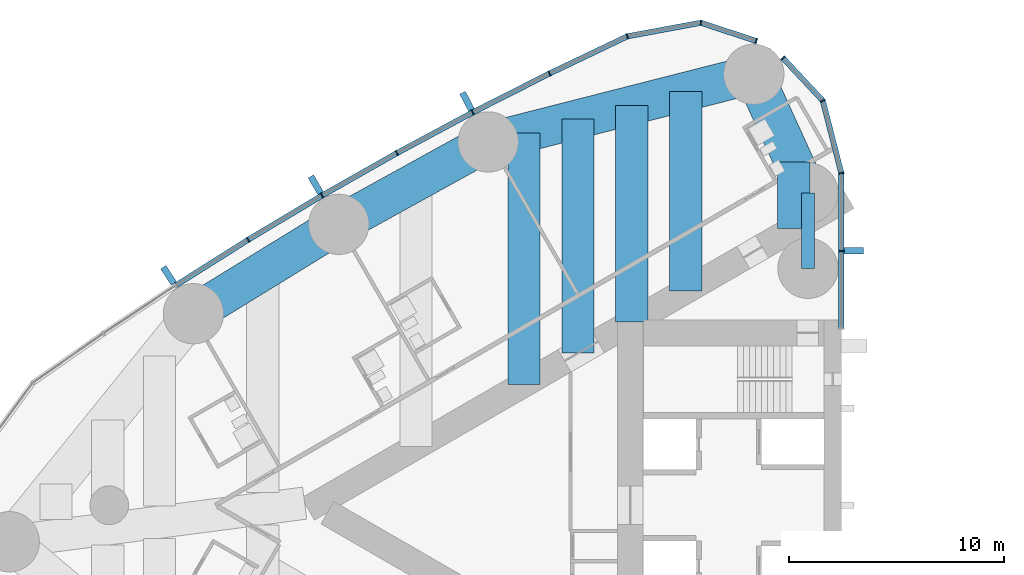
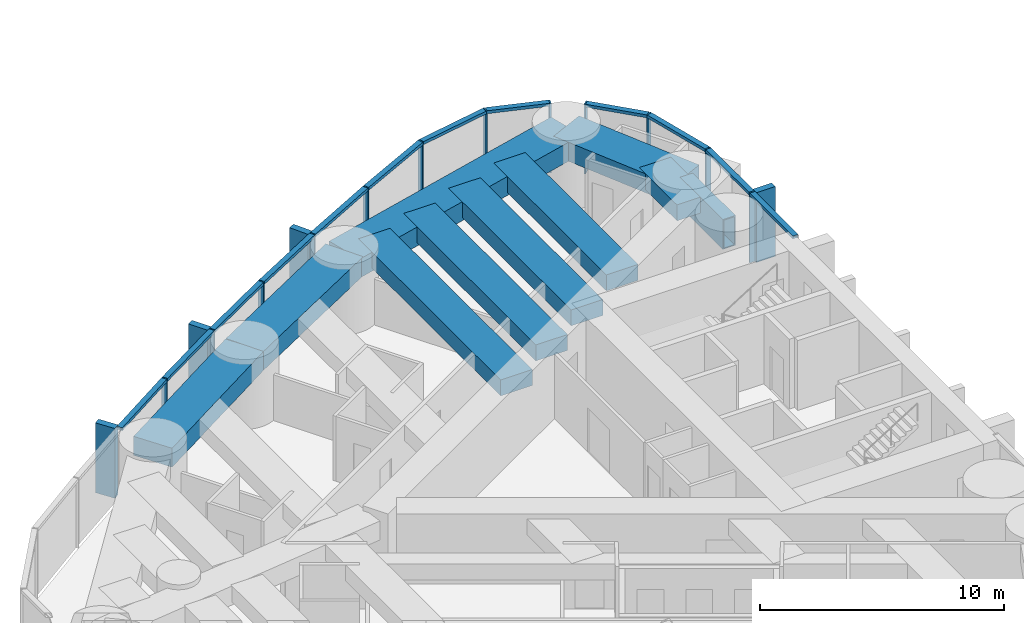
# One storey, part 5 of 19: 28 members, 10 beams, 2 elements without a shape of their own.
"""IFC4 building model written with IfcOpenShell, lengths in metres."""

from ifc_helpers import new_model, si_unit, direction, frame, origin, origin_2d, place, context, subcontext, project, spatial, rectangle, hollow_rectangle, extrude, material, material_profile, profile_set, type_object, element, aggregate, save


model = new_model("IFC4")

# Units and contexts
model_context = context("Model", 3, precision=1e-05, world=origin(), true_north=direction((0.0, 1.0)))
body_context = subcontext(model_context, "Body", "Model", "MODEL_VIEW")
ifc_project = project(units=[si_unit("LENGTHUNIT", "METRE"), si_unit("AREAUNIT", "SQUARE_METRE"), si_unit("VOLUMEUNIT", "CUBIC_METRE"), si_unit("PLANEANGLEUNIT", "RADIAN"), si_unit("MASSUNIT", "GRAM", prefix="KILO")], contexts=[model_context])

# Site, building, storey
site_placement = place(None, origin())
site = spatial("IfcSite", under=ifc_project, at=site_placement, CompositionType="ELEMENT")
building_placement = place(site_placement, origin())
building = spatial("IfcBuilding", under=site, at=building_placement, Name="Lancet Gate Hotel", CompositionType="ELEMENT")
storey_placement = place(building_placement, frame((0.0, 0.0, 173.800048828125)))
storey = spatial("IfcBuildingStorey", under=building, at=storey_placement, Name="L46", CompositionType="ELEMENT", Elevation=173.800048828125)

# Curtain wall, members
ifc_material_1 = material(Name="Aluminium curtain wall", Category="aluminium")
curtain_wall_type = type_object("IfcCurtainWallType", Name="Tower unitised curtain wall", PredefinedType="USERDEFINED", material=ifc_material_1)
curtain_wall_1_placement = place(storey_placement, origin())
curtain_wall_1 = element("IfcCurtainWall", 1, at=curtain_wall_1_placement, inside=storey, type_object=curtain_wall_type, Name="T1 L46 curtain wall 1", ObjectType="UNITISED CURTAIN WALL", PredefinedType="USERDEFINED")
ifc_material_2 = material(Name="Aluminium mullion", Category="aluminium")
ifc_material_profile_1 = material_profile(ifc_material_2, rectangle(XDim=0.06494140625, YDim=0.25, at=origin_2d()), Name="MULLION 65x250")
ifc_profile_set_1 = profile_set([ifc_material_profile_1], Name="Aluminium mullion")
member_type_1 = type_object("IfcMemberType", Name="Aluminium mullion 65x250", PredefinedType="MULLION", material=ifc_profile_set_1)
member_1_placement = place(storey_placement, frame((-27.5, 11.811767578125, 0.0), z_axis=(0.0, 0.0, 1.0), x_axis=(0.0, 1.0, 0.0)))
member_1 = element("IfcMember", 2, at=member_1_placement, type_object=member_type_1, Name="T1 L46 curtain wall 1 mullion 2", PredefinedType="MULLION", context=body_context, shape_type="SweptSolid", body=[
    extrude(rectangle(XDim=0.06494140625, YDim=0.25, at=origin_2d()), origin(), (0.0, 0.0, 1.0), 3.5),
])
member_2_placement = place(storey_placement, frame((-27.5, 15.42333984375, 0.0), z_axis=(0.0, 0.0, 1.0), x_axis=(-0.122467472845, 0.992472527627, 0.0)))
member_2 = element("IfcMember", 3, at=member_2_placement, type_object=member_type_1, Name="T1 L46 curtain wall 1 mullion 3", PredefinedType="MULLION", context=body_context, shape_type="SweptSolid", body=[
    extrude(rectangle(XDim=0.06494140625, YDim=0.25, at=origin_2d()), origin(), (0.0, 0.0, 1.0), 3.5),
])
member_3_placement = place(storey_placement, frame((-28.360595703125, 18.7861328125, 0.0), z_axis=(0.0, 0.0, 1.0), x_axis=(-0.452507601198, 0.891760545695, 0.0)))
member_3 = element("IfcMember", 4, at=member_3_placement, type_object=member_type_1, Name="T1 L46 curtain wall 1 mullion 4", PredefinedType="MULLION", context=body_context, shape_type="SweptSolid", body=[
    extrude(rectangle(XDim=0.06494140625, YDim=0.25, at=origin_2d()), origin(), (0.0, 0.0, 1.0), 3.5),
])
member_4_placement = place(storey_placement, frame((-30.210693359375, 20.765625, 0.0), z_axis=(0.0, 0.0, 1.0), x_axis=(-0.682844962172, 0.730563315282, 0.0)))
member_4 = element("IfcMember", 5, at=member_4_placement, type_object=member_type_1, Name="T1 L46 curtain wall 1 mullion 5", PredefinedType="MULLION", context=body_context, shape_type="SweptSolid", body=[
    extrude(rectangle(XDim=0.06494140625, YDim=0.25, at=origin_2d()), origin(), (0.0, 0.0, 1.0), 3.5),
])

curtain_wall_2_placement = place(storey_placement, origin())
curtain_wall_2 = element("IfcCurtainWall", 6, at=curtain_wall_2_placement, inside=storey, type_object=curtain_wall_type, Name="T1 L46 curtain wall 2", ObjectType="UNITISED CURTAIN WALL", PredefinedType="USERDEFINED")
member_5_placement = place(storey_placement, frame((-31.45263671875, 21.5595703125, 0.0), z_axis=(0.0, 0.0, 1.0), x_axis=(-0.949848055084, 0.312711803827, 0.0)))
member_5 = element("IfcMember", 7, at=member_5_placement, type_object=member_type_1, Name="T1 L46 curtain wall 2 mullion 1", PredefinedType="MULLION", context=body_context, shape_type="SweptSolid", body=[
    extrude(rectangle(XDim=0.06494140625, YDim=0.25, at=origin_2d()), origin(), (0.0, 0.0, 1.0), 3.5),
])
member_6_placement = place(storey_placement, frame((-34.02783203125, 22.407470703125, 0.0), z_axis=(0.0, 0.0, 1.0), x_axis=(-0.999350473622, 0.036036521361, 0.0)))
member_6 = element("IfcMember", 8, at=member_6_placement, type_object=member_type_1, Name="T1 L46 curtain wall 2 mullion 2", PredefinedType="MULLION", context=body_context, shape_type="SweptSolid", body=[
    extrude(rectangle(XDim=0.06494140625, YDim=0.25, at=origin_2d()), origin(), (0.0, 0.0, 1.0), 3.5),
])
member_7_placement = place(storey_placement, frame((-37.44091796875, 21.775634765625, 0.0), z_axis=(0.0, 0.0, 1.0), x_axis=(-0.948119321052, -0.317914694609, 0.0)))
member_7 = element("IfcMember", 9, at=member_7_placement, type_object=member_type_1, Name="T1 L46 curtain wall 2 mullion 3", PredefinedType="MULLION", context=body_context, shape_type="SweptSolid", body=[
    extrude(rectangle(XDim=0.06494140625, YDim=0.25, at=origin_2d()), origin(), (0.0, 0.0, 1.0), 3.5),
])
member_8_placement = place(storey_placement, frame((-41.0498046875, 20.052978515625, 0.0), z_axis=(0.0, 0.0, 1.0), x_axis=(-0.897324392142, -0.441371652088, 0.0)))
member_8 = element("IfcMember", 10, at=member_8_placement, type_object=member_type_1, Name="T1 L46 curtain wall 2 mullion 4", PredefinedType="MULLION", context=body_context, shape_type="SweptSolid", body=[
    extrude(rectangle(XDim=0.06494140625, YDim=0.25, at=origin_2d()), origin(), (0.0, 0.0, 1.0), 3.5),
])
member_9_placement = place(storey_placement, frame((-44.6171875, 18.245849609375, 0.0), z_axis=(0.0, 0.0, 1.0), x_axis=(-0.886694440064, -0.462355891019, 0.0)))
member_9 = element("IfcMember", 11, at=member_9_placement, type_object=member_type_1, Name="T1 L46 curtain wall 2 mullion 5", PredefinedType="MULLION", context=body_context, shape_type="SweptSolid", body=[
    extrude(rectangle(XDim=0.06494140625, YDim=0.25, at=origin_2d()), origin(), (0.0, 0.0, 1.0), 3.5),
])
member_10_placement = place(storey_placement, frame((-48.140869140625, 16.355224609375, 0.0), z_axis=(0.0, 0.0, 1.0), x_axis=(-0.87557384965, -0.483084292654, 0.0)))
member_10 = element("IfcMember", 12, at=member_10_placement, type_object=member_type_1, Name="T1 L46 curtain wall 2 mullion 6", PredefinedType="MULLION", context=body_context, shape_type="SweptSolid", body=[
    extrude(rectangle(XDim=0.06494140625, YDim=0.25, at=origin_2d()), origin(), (0.0, 0.0, 1.0), 3.5),
])
member_11_placement = place(storey_placement, frame((-51.619384765625, 14.38232421875, 0.0), z_axis=(0.0, 0.0, 1.0), x_axis=(-0.863968774311, -0.503545387245, 0.0)))
member_11 = element("IfcMember", 13, at=member_11_placement, type_object=member_type_1, Name="T1 L46 curtain wall 2 mullion 7", PredefinedType="MULLION", context=body_context, shape_type="SweptSolid", body=[
    extrude(rectangle(XDim=0.06494140625, YDim=0.25, at=origin_2d()), origin(), (0.0, 0.0, 1.0), 3.5),
])
member_12_placement = place(storey_placement, frame((-55.05029296875, 12.328369140625, 0.0), z_axis=(0.0, 0.0, 1.0), x_axis=(-0.851885635531, -0.52372785297, 0.0)))
member_12 = element("IfcMember", 14, at=member_12_placement, type_object=member_type_1, Name="T1 L46 curtain wall 2 mullion 8", PredefinedType="MULLION", context=body_context, shape_type="SweptSolid", body=[
    extrude(rectangle(XDim=0.06494140625, YDim=0.25, at=origin_2d()), origin(), (0.0, 0.0, 1.0), 3.5),
])

# Member
ifc_material_3 = material(Name="Aluminium transom", Category="aluminium")
ifc_material_profile_2 = material_profile(ifc_material_3, rectangle(XDim=0.25, YDim=0.14990234375, at=origin_2d()), Name="TRANSOM 250x150")
ifc_profile_set_2 = profile_set([ifc_material_profile_2], Name="Aluminium transom")
member_type_2 = type_object("IfcMemberType", Name="Aluminium transom 250x150", PredefinedType="USERDEFINED", material=ifc_profile_set_2)
member_13_placement = place(storey_placement, frame((-27.5, 8.232421875, 3.425048828125), z_axis=(0.0, 1.0, 0.0), x_axis=(-1.0, 0.0, 0.0)))
member_13 = element("IfcMember", 15, at=member_13_placement, type_object=member_type_2, Name="T1 L46 curtain wall 1 transom 1", ObjectType="TRANSOM", PredefinedType="USERDEFINED", context=body_context, shape_type="SweptSolid", body=[
    extrude(rectangle(XDim=0.25, YDim=0.14990234375, at=origin_2d()), origin(), (0.0, 0.0, 1.0), 3.546875),
])

member_14_placement = place(storey_placement, frame((-27.5, 11.84423828125, 3.425048828125), z_axis=(0.0, 1.0, 0.0), x_axis=(-1.0, 0.0, 0.0)))
member_14 = element("IfcMember", 16, at=member_14_placement, type_object=member_type_2, Name="T1 L46 curtain wall 1 transom 2", ObjectType="TRANSOM", PredefinedType="USERDEFINED", context=body_context, shape_type="SweptSolid", body=[
    extrude(rectangle(XDim=0.25, YDim=0.14990234375, at=origin_2d()), origin(), (0.0, 0.0, 1.0), 3.546630859375),
])

member_15_placement = place(storey_placement, frame((-27.508056640625, 15.454833984375, 3.425048828125), z_axis=(-0.247928683912, 0.968778286139, 0.0), x_axis=(-0.968778286139, -0.247928683912, 0.0)))
member_15 = element("IfcMember", 17, at=member_15_placement, type_object=member_type_2, Name="T1 L46 curtain wall 1 transom 3", ObjectType="TRANSOM", PredefinedType="USERDEFINED", context=body_context, shape_type="SweptSolid", body=[
    extrude(rectangle(XDim=0.25, YDim=0.14990234375, at=origin_2d()), origin(), (0.0, 0.0, 1.0), 3.40625),
])

member_16_placement = place(storey_placement, frame((-28.3828125, 18.809814453125, 3.425048828125), z_axis=(-0.682841037959, 0.730566983157, 0.0), x_axis=(-0.730566983157, -0.682841037959, 0.0)))
member_16 = element("IfcMember", 18, at=member_16_placement, type_object=member_type_2, Name="T1 L46 curtain wall 1 transom 4", ObjectType="TRANSOM", PredefinedType="USERDEFINED", context=body_context, shape_type="SweptSolid", body=[
    extrude(rectangle(XDim=0.25, YDim=0.14990234375, at=origin_2d()), origin(), (0.0, 0.0, 1.0), 2.644775390625),
])

member_17_placement = place(storey_placement, frame((-31.483642578125, 21.56982421875, 3.425048828125), z_axis=(-0.949857661259, 0.312682623993, 0.0), x_axis=(-0.312682623993, -0.949857661259, 0.0)))
member_17 = element("IfcMember", 19, at=member_17_placement, type_object=member_type_2, Name="T1 L46 curtain wall 2 transom 1", ObjectType="TRANSOM", PredefinedType="USERDEFINED", context=body_context, shape_type="SweptSolid", body=[
    extrude(rectangle(XDim=0.25, YDim=0.14990234375, at=origin_2d()), origin(), (0.0, 0.0, 1.0), 2.64599609375),
])

member_18_placement = place(storey_placement, frame((-34.059814453125, 22.401611328125, 3.425048828125), z_axis=(-0.983286757871, -0.182063592724, 0.0), x_axis=(0.182063592724, -0.983286757871, 0.0)))
member_18 = element("IfcMember", 20, at=member_18_placement, type_object=member_type_2, Name="T1 L46 curtain wall 2 transom 2", ObjectType="TRANSOM", PredefinedType="USERDEFINED", context=body_context, shape_type="SweptSolid", body=[
    extrude(rectangle(XDim=0.25, YDim=0.14990234375, at=origin_2d()), origin(), (0.0, 0.0, 1.0), 3.406005859375),
])

member_19_placement = place(storey_placement, frame((-37.47021484375, 21.761474609375, 3.425048828125), z_axis=(-0.902468975385, -0.430754858902, 0.0), x_axis=(0.430754858902, -0.902468975385, 0.0)))
member_19 = element("IfcMember", 21, at=member_19_placement, type_object=member_type_2, Name="T1 L46 curtain wall 2 transom 3", ObjectType="TRANSOM", PredefinedType="USERDEFINED", context=body_context, shape_type="SweptSolid", body=[
    extrude(rectangle(XDim=0.25, YDim=0.14990234375, at=origin_2d()), origin(), (0.0, 0.0, 1.0), 3.93408203125),
])

member_20_placement = place(storey_placement, frame((-41.078857421875, 20.0380859375, 3.425048828125), z_axis=(-0.892081477453, -0.451874581699, 0.0), x_axis=(0.451874581699, -0.892081477453, 0.0)))
member_20 = element("IfcMember", 22, at=member_20_placement, type_object=member_type_2, Name="T1 L46 curtain wall 2 transom 4", ObjectType="TRANSOM", PredefinedType="USERDEFINED", context=body_context, shape_type="SweptSolid", body=[
    extrude(rectangle(XDim=0.25, YDim=0.14990234375, at=origin_2d()), origin(), (0.0, 0.0, 1.0), 3.933837890625),
])

member_21_placement = place(storey_placement, frame((-44.645751953125, 18.23046875, 3.425048828125), z_axis=(-0.881185491994, -0.472770693571, 0.0), x_axis=(0.472770693571, -0.881185491994, 0.0)))
member_21 = element("IfcMember", 23, at=member_21_placement, type_object=member_type_2, Name="T1 L46 curtain wall 2 transom 5", ObjectType="TRANSOM", PredefinedType="USERDEFINED", context=body_context, shape_type="SweptSolid", body=[
    extrude(rectangle(XDim=0.25, YDim=0.14990234375, at=origin_2d()), origin(), (0.0, 0.0, 1.0), 3.93408203125),
])

member_22_placement = place(storey_placement, frame((-48.169189453125, 16.33935546875, 3.425048828125), z_axis=(-0.869819807367, -0.493369539709, 0.0), x_axis=(0.493369539709, -0.869819807367, 0.0)))
member_22 = element("IfcMember", 24, at=member_22_placement, type_object=member_type_2, Name="T1 L46 curtain wall 2 transom 6", ObjectType="TRANSOM", PredefinedType="USERDEFINED", context=body_context, shape_type="SweptSolid", body=[
    extrude(rectangle(XDim=0.25, YDim=0.14990234375, at=origin_2d()), origin(), (0.0, 0.0, 1.0), 3.93408203125),
])

member_23_placement = place(storey_placement, frame((-51.647216796875, 14.36572265625, 3.425048828125), z_axis=(-0.857985365092, -0.513674131419, 0.0), x_axis=(0.513674131419, -0.857985365092, 0.0)))
member_23 = element("IfcMember", 25, at=member_23_placement, type_object=member_type_2, Name="T1 L46 curtain wall 2 transom 7", ObjectType="TRANSOM", PredefinedType="USERDEFINED", context=body_context, shape_type="SweptSolid", body=[
    extrude(rectangle(XDim=0.25, YDim=0.14990234375, at=origin_2d()), origin(), (0.0, 0.0, 1.0), 3.933837890625),
])

member_24_placement = place(storey_placement, frame((-55.077880859375, 12.31103515625, 3.425048828125), z_axis=(-0.845671711095, -0.53370343549, 0.0), x_axis=(0.53370343549, -0.845671711095, 0.0)))
member_24 = element("IfcMember", 26, at=member_24_placement, type_object=member_type_2, Name="T1 L46 curtain wall 2 transom 8", ObjectType="TRANSOM", PredefinedType="USERDEFINED", context=body_context, shape_type="SweptSolid", body=[
    extrude(rectangle(XDim=0.25, YDim=0.14990234375, at=origin_2d()), origin(), (0.0, 0.0, 1.0), 3.93408203125),
])

# Beams
ifc_material_4 = material(Name="Concrete C50/60", Category="concrete")
ifc_material_profile_3 = material_profile(ifc_material_4, rectangle(XDim=1.800048828125, YDim=0.949951171875, at=origin_2d()), Name="RC 1800x950")
ifc_profile_set_3 = profile_set([ifc_material_profile_3], Name="Concrete C50/60")
beam_type_1 = type_object("IfcBeamType", Name="Edge beam RC 1800x950", PredefinedType="SPANDREL", material=ifc_profile_set_3)
beam_1_placement = place(storey_placement, frame((-31.5654296875, 20.015869140625, 2.77490234375), z_axis=(-0.969008414312, -0.247027717052, 0.0), x_axis=(0.247027717052, -0.969008414312, 0.0)))
element("IfcBeam", 27, at=beam_1_placement, inside=storey, type_object=beam_type_1, Name="T1 edge beam EB1 L46", PredefinedType="SPANDREL", context=body_context, shape_type="SweptSolid", body=[
    extrude(rectangle(XDim=1.800048828125, YDim=0.949951171875, at=origin_2d()), origin(), (0.0, 0.0, 1.0), 12.7294921875),
])
beam_2_placement = place(storey_placement, frame((-43.900390625, 16.871337890625, 2.77490234375), z_axis=(-0.875577684027, -0.483077342911, 0.0), x_axis=(0.483077342911, -0.875577684027, 0.0)))
element("IfcBeam", 28, at=beam_2_placement, inside=storey, type_object=beam_type_1, Name="T1 edge beam EB1 L46", PredefinedType="SPANDREL", context=body_context, shape_type="SweptSolid", body=[
    extrude(rectangle(XDim=1.800048828125, YDim=0.949951171875, at=origin_2d()), origin(), (0.0, 0.0, 1.0), 7.924560546875),
])
beam_3_placement = place(storey_placement, frame((-50.8388671875, 13.043212890625, 2.77490234375), z_axis=(-0.851892008043, -0.523717487423, 0.0), x_axis=(0.523717487423, -0.851892008043, 0.0)))
element("IfcBeam", 29, at=beam_3_placement, inside=storey, type_object=beam_type_1, Name="T1 edge beam EB1 L46", PredefinedType="SPANDREL", context=body_context, shape_type="SweptSolid", body=[
    extrude(rectangle(XDim=1.800048828125, YDim=0.949951171875, at=origin_2d()), origin(), (0.0, 0.0, 1.0), 7.92431640625),
])
beam_4_placement = place(storey_placement, frame((-31.5654296875, 20.015869140625, 2.77490234375), z_axis=(0.414919206993, -0.909858259109, 0.0), x_axis=(0.909858259109, 0.414919206993, 0.0)))
element("IfcBeam", 30, at=beam_4_placement, inside=storey, type_object=beam_type_1, Name="T1 edge beam EB1 L46", PredefinedType="SPANDREL", context=body_context, shape_type="SweptSolid", body=[
    extrude(rectangle(XDim=1.800048828125, YDim=0.949951171875, at=origin_2d()), origin(), (0.0, 0.0, 1.0), 6.062255859375),
])

# Member
ifc_material_5 = material(Name="Precast concrete C50/60", Category="concrete")
ifc_material_profile_4 = material_profile(ifc_material_5, rectangle(XDim=0.300048828125, YDim=0.89990234375, at=origin_2d()), Name="FIN 300x900")
ifc_profile_set_4 = profile_set([ifc_material_profile_4], Name="Precast concrete C50/60")
member_type_3 = type_object("IfcMemberType", Name="Exposed concrete fin 300x900", PredefinedType="USERDEFINED", material=ifc_profile_set_4)
member_25_placement = place(storey_placement, frame((-26.925048828125, 11.811767578125, 0.0), z_axis=(0.0, 0.0, 1.0), x_axis=(0.0, 1.0, 0.0)))
member_25 = element("IfcMember", 31, at=member_25_placement, type_object=member_type_3, Name="T1 L46 curtain wall 1 fin 2", ObjectType="FIN", PredefinedType="USERDEFINED", context=body_context, shape_type="SweptSolid", body=[
    extrude(rectangle(XDim=0.300048828125, YDim=0.89990234375, at=origin_2d()), origin(), (0.0, 0.0, 1.0), 3.5),
])

aggregate(curtain_wall_1, [member_1, member_25, member_2, member_3, member_4, member_13, member_14, member_15, member_16])

member_26_placement = place(storey_placement, frame((-44.883056640625, 18.755615234375, 0.0), z_axis=(0.0, 0.0, 1.0), x_axis=(-0.886694440064, -0.462355891019, 0.0)))
member_26 = element("IfcMember", 32, at=member_26_placement, type_object=member_type_3, Name="T1 L46 curtain wall 2 fin 5", ObjectType="FIN", PredefinedType="USERDEFINED", context=body_context, shape_type="SweptSolid", body=[
    extrude(rectangle(XDim=0.300048828125, YDim=0.89990234375, at=origin_2d()), origin(), (0.0, 0.0, 1.0), 3.5),
])

member_27_placement = place(storey_placement, frame((-51.908935546875, 14.879150390625, 0.0), z_axis=(0.0, 0.0, 1.0), x_axis=(-0.863968774311, -0.503545387245, 0.0)))
member_27 = element("IfcMember", 33, at=member_27_placement, type_object=member_type_3, Name="T1 L46 curtain wall 2 fin 7", ObjectType="FIN", PredefinedType="USERDEFINED", context=body_context, shape_type="SweptSolid", body=[
    extrude(rectangle(XDim=0.300048828125, YDim=0.89990234375, at=origin_2d()), origin(), (0.0, 0.0, 1.0), 3.5),
])

member_28_placement = place(storey_placement, frame((-58.74462890625, 10.6767578125, 0.0), z_axis=(0.0, 0.0, 1.0), x_axis=(-0.839331119324, -0.54362052218, 0.0)))
member_28 = element("IfcMember", 34, at=member_28_placement, type_object=member_type_3, Name="T1 L46 curtain wall 2 fin 9", ObjectType="FIN", PredefinedType="USERDEFINED", context=body_context, shape_type="SweptSolid", body=[
    extrude(rectangle(XDim=0.300048828125, YDim=0.89990234375, at=origin_2d()), origin(), (0.0, 0.0, 1.0), 3.5),
])

aggregate(curtain_wall_2, [member_5, member_6, member_7, member_8, member_9, member_26, member_10, member_11, member_27, member_12, member_28, member_17, member_18, member_19, member_20, member_21, member_22, member_23, member_24])

# Beams
ifc_material_6 = material(Name="Concrete C50/60", Category="concrete")
ifc_material_profile_5 = material_profile(ifc_material_6, rectangle(XDim=1.5, YDim=0.800048828125, at=origin_2d()), Name="RC 1500x800")
ifc_profile_set_5 = profile_set([ifc_material_profile_5], Name="Concrete C50/60")
beam_type_2 = type_object("IfcBeamType", Name="Floor beam RC 1500x800", PredefinedType="BEAM", material=ifc_profile_set_5)
beam_5_placement = place(storey_placement, frame((-29.706787109375, 15.940185546875, 2.849853515625), z_axis=(0.0, -1.0, 0.0), x_axis=(1.0, 0.0, 0.0)))
element("IfcBeam", 35, at=beam_5_placement, inside=storey, type_object=beam_type_2, Name="T1 floor beam F01S L46", PredefinedType="BEAM", context=body_context, shape_type="SweptSolid", body=[
    extrude(rectangle(XDim=1.5, YDim=0.800048828125, at=origin_2d()), origin(), (0.0, 0.0, 1.0), 3.087646484375),
])
beam_6_placement = place(storey_placement, frame((-34.720458984375, 19.211669921875, 2.849853515625), z_axis=(0.0, -1.0, 0.0), x_axis=(1.0, 0.0, 0.0)))
element("IfcBeam", 36, at=beam_6_placement, inside=storey, type_object=beam_type_2, Name="T1 floor beam F03S L46", PredefinedType="BEAM", context=body_context, shape_type="SweptSolid", body=[
    extrude(rectangle(XDim=1.5, YDim=0.800048828125, at=origin_2d()), origin(), (0.0, 0.0, 1.0), 9.253662109375),
])
beam_7_placement = place(storey_placement, frame((-37.227294921875, 18.572509765625, 2.849853515625), z_axis=(0.0, -1.0, 0.0), x_axis=(1.0, 0.0, 0.0)))
element("IfcBeam", 37, at=beam_7_placement, inside=storey, type_object=beam_type_2, Name="T1 floor beam F04S L46", PredefinedType="BEAM", context=body_context, shape_type="SweptSolid", body=[
    extrude(rectangle(XDim=1.5, YDim=0.800048828125, at=origin_2d()), origin(), (0.0, 0.0, 1.0), 10.061767578125),
])
beam_8_placement = place(storey_placement, frame((-39.734130859375, 17.93359375, 2.849853515625), z_axis=(0.0, -1.0, 0.0), x_axis=(1.0, 0.0, 0.0)))
element("IfcBeam", 38, at=beam_8_placement, inside=storey, type_object=beam_type_2, Name="T1 floor beam F06S L46", PredefinedType="BEAM", context=body_context, shape_type="SweptSolid", body=[
    extrude(rectangle(XDim=1.5, YDim=0.800048828125, at=origin_2d()), origin(), (0.0, 0.0, 1.0), 10.8701171875),
])
beam_9_placement = place(storey_placement, frame((-42.240966796875, 17.29443359375, 2.849853515625), z_axis=(0.0, -1.0, 0.0), x_axis=(1.0, 0.0, 0.0)))
element("IfcBeam", 39, at=beam_9_placement, inside=storey, type_object=beam_type_2, Name="T1 floor beam F07S L46", PredefinedType="BEAM", context=body_context, shape_type="SweptSolid", body=[
    extrude(rectangle(XDim=1.5, YDim=0.800048828125, at=origin_2d()), origin(), (0.0, 0.0, 1.0), 11.678466796875),
])
ifc_material_7 = material(Name="Steel S460QL", Category="steel")
ifc_material_profile_6 = material_profile(ifc_material_7, hollow_rectangle(XDim=0.60009765625, YDim=1.5, WallThickness=0.050048828125, at=origin_2d()), Name="BOX 1500x600x50")
ifc_profile_set_6 = profile_set([ifc_material_profile_6], Name="Steel S460QL")
beam_type_3 = type_object("IfcBeamType", Name="Inner-face link beam BOX 1500x600x50", PredefinedType="BEAM", material=ifc_profile_set_6)
beam_10_placement = place(storey_placement, frame((-29.050048828125, 14.5, 2.5), z_axis=(0.0, -1.0, 0.0), x_axis=(1.0, 0.0, 0.0)))
element("IfcBeam", 40, at=beam_10_placement, inside=storey, type_object=beam_type_3, Name="T1 inner-face link beam LK1 L46", PredefinedType="BEAM", context=body_context, shape_type="SweptSolid", body=[
    extrude(hollow_rectangle(XDim=0.60009765625, YDim=1.5, WallThickness=0.050048828125, at=origin_2d()), origin(), (0.0, 0.0, 1.0), 3.5),
])

save(model, "model.ifc")
